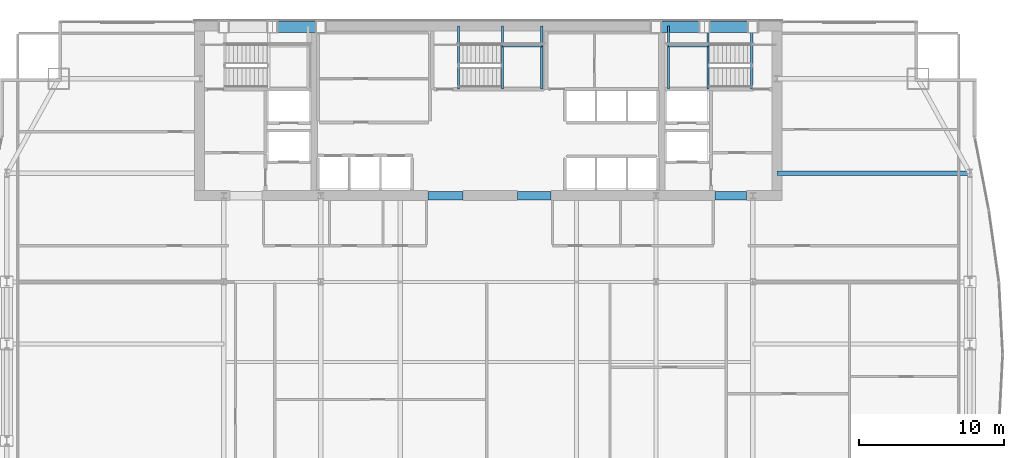
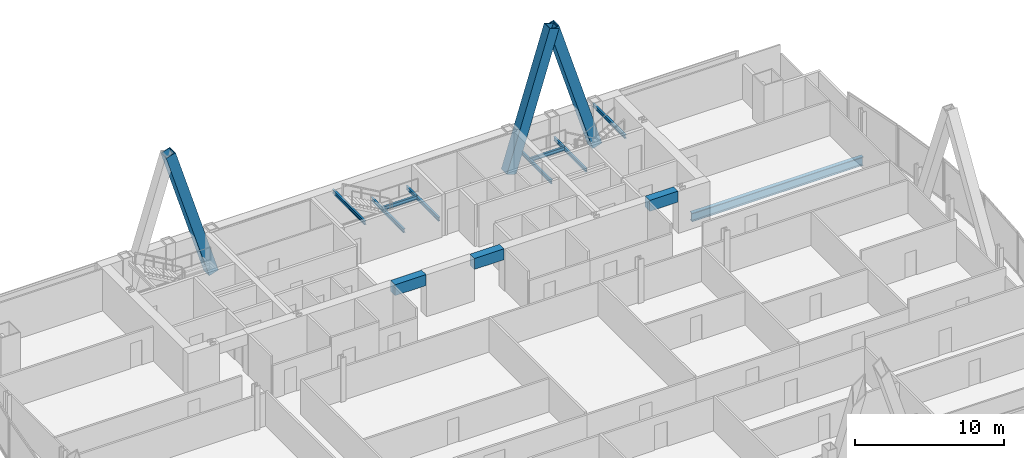
# One storey, part 19 of 33: 12 beams, 3 members.
"""IFC4 building model written with IfcOpenShell, lengths in metres."""

from ifc_helpers import new_model, si_unit, direction, frame, origin, origin_2d, place, context, subcontext, project, spatial, rectangle, hollow_rectangle, i_section, extrude, material, material_profile, profile_set, type_object, element, save


model = new_model("IFC4")

# Units and contexts
model_context = context("Model", 3, precision=1e-05, world=origin(), true_north=direction((0.0, 1.0)))
body_context = subcontext(model_context, "Body", "Model", "MODEL_VIEW")
ifc_project = project(units=[si_unit("LENGTHUNIT", "METRE"), si_unit("AREAUNIT", "SQUARE_METRE"), si_unit("VOLUMEUNIT", "CUBIC_METRE"), si_unit("PLANEANGLEUNIT", "RADIAN"), si_unit("MASSUNIT", "GRAM", prefix="KILO")], contexts=[model_context])

# Site, building, storey
site_placement = place(None, origin())
site = spatial("IfcSite", under=ifc_project, at=site_placement, CompositionType="ELEMENT")
building_placement = place(site_placement, origin())
building = spatial("IfcBuilding", under=site, at=building_placement, Name="Khoronbel Lancet Exchange", CompositionType="ELEMENT")
storey_placement = place(building_placement, frame((0.0, 0.0, 118.199951171875)))
storey = spatial("IfcBuildingStorey", under=building, at=storey_placement, Name="L28", CompositionType="ELEMENT", Elevation=118.199951171875)

# Beams
ifc_material_1 = material(Name="Steel S355", Category="steel")
ifc_material_profile_1 = material_profile(ifc_material_1, i_section(OverallWidth=0.300048828125, OverallDepth=0.699951171875, WebThickness=0.01708984375, FlangeThickness=0.031982421875, at=origin_2d()), Name="HEB 700")
ifc_profile_set_1 = profile_set([ifc_material_profile_1], Name="Steel S355")
beam_type_1 = type_object("IfcBeamType", Name="BM-BG3", PredefinedType="BEAM", material=ifc_profile_set_1)
beam_1_placement = place(storey_placement, frame((56.35009765625, 43.199951171875, -0.510009765625), z_axis=(1.0, 0.0, 0.0), x_axis=(0.0, 1.0, 0.0)))
element("IfcBeam", 1, at=beam_1_placement, inside=storey, type_object=beam_type_1, Name="Level L28 east lens tie girder LG3E", PredefinedType="BEAM", context=body_context, shape_type="SweptSolid", body=[
    extrude(i_section(OverallWidth=0.300048828125, OverallDepth=0.699951171875, WebThickness=0.01708984375, FlangeThickness=0.031982421875, at=origin_2d()), origin(), (0.0, 0.0, 1.0), 13.27978515625),
])
ifc_material_profile_2 = material_profile(ifc_material_1, i_section(OverallWidth=0.14990234375, OverallDepth=0.300048828125, WebThickness=0.007080078125, FlangeThickness=0.0107421875, at=origin_2d()), Name="IPE 300")
ifc_profile_set_2 = profile_set([ifc_material_profile_2], Name="Steel S355")
beam_type_2 = type_object("IfcBeamType", Name="BM-BJ8", PredefinedType="JOIST", material=ifc_profile_set_2)
for number, where, z_axis, x_axis, name in (
    (2, (51.580078125, 48.97998046875, 1.449951171875), (0.0, 1.0, 0.0), (-1.0, 0.0, 0.0), "Level L28 stair ST2 landing bearer beam 1"),
    (3, (48.8701171875, 48.97998046875, 1.449951171875), (0.0, 1.0, 0.0), (-1.0, 0.0, 0.0), "Level L28 stair ST2 rear landing bearer beam 1"),
):
    element("IfcBeam", number, at=place(storey_placement, frame(where, z_axis=z_axis, x_axis=x_axis)), inside=storey, type_object=beam_type_2, Name=name, PredefinedType="JOIST", context=body_context, shape_type="SweptSolid", body=[
        extrude(i_section(OverallWidth=0.14990234375, OverallDepth=0.300048828125, WebThickness=0.007080078125, FlangeThickness=0.0107421875, at=origin_2d()), origin(), (0.0, 0.0, 1.0), 4.3701171875),
    ])
beam_2_placement = place(storey_placement, frame((48.8701171875, 51.97998046875, 1.449951171875), z_axis=(1.0, 0.0, 0.0), x_axis=(0.0, 1.0, 0.0)))
element("IfcBeam", 4, at=beam_2_placement, inside=storey, type_object=beam_type_2, Name="Level L28 stair ST2 landing cross trimmer beam 1", PredefinedType="JOIST", context=body_context, shape_type="SweptSolid", body=[
    extrude(i_section(OverallWidth=0.14990234375, OverallDepth=0.300048828125, WebThickness=0.007080078125, FlangeThickness=0.0107421875, at=origin_2d()), origin(), (0.0, 0.0, 1.0), 2.7099609375),
])
for number, where, z_axis, x_axis, name in (
    (5, (54.60009765625, 48.97998046875, 3.16015625), (0.0, 1.0, 0.0), (-1.0, 0.0, 0.0), "Level L28 stair ST2 upper-flight arrival trimmer beam"),
    (6, (37.419921875, 48.97998046875, 1.449951171875), (0.0, 1.0, 0.0), (-1.0, 0.0, 0.0), "Level L28 stair ST3 landing bearer beam 1"),
    (7, (40.1298828125, 48.97998046875, 1.449951171875), (0.0, 1.0, 0.0), (-1.0, 0.0, 0.0), "Level L28 stair ST3 rear landing bearer beam 1"),
):
    element("IfcBeam", number, at=place(storey_placement, frame(where, z_axis=z_axis, x_axis=x_axis)), inside=storey, type_object=beam_type_2, Name=name, PredefinedType="JOIST", context=body_context, shape_type="SweptSolid", body=[
        extrude(i_section(OverallWidth=0.14990234375, OverallDepth=0.300048828125, WebThickness=0.007080078125, FlangeThickness=0.0107421875, at=origin_2d()), origin(), (0.0, 0.0, 1.0), 4.3701171875),
    ])
beam_3_placement = place(storey_placement, frame((37.419921875, 51.97998046875, 1.449951171875), z_axis=(1.0, 0.0, 0.0), x_axis=(0.0, 1.0, 0.0)))
element("IfcBeam", 8, at=beam_3_placement, inside=storey, type_object=beam_type_2, Name="Level L28 stair ST3 landing cross trimmer beam 1", PredefinedType="JOIST", context=body_context, shape_type="SweptSolid", body=[
    extrude(i_section(OverallWidth=0.14990234375, OverallDepth=0.300048828125, WebThickness=0.007080078125, FlangeThickness=0.0107421875, at=origin_2d()), origin(), (0.0, 0.0, 1.0), 2.7099609375),
])
beam_4_placement = place(storey_placement, frame((34.39990234375, 48.97998046875, 3.16015625), z_axis=(0.0, 1.0, 0.0), x_axis=(-1.0, 0.0, 0.0)))
element("IfcBeam", 9, at=beam_4_placement, inside=storey, type_object=beam_type_2, Name="Level L28 stair ST3 upper-flight arrival trimmer beam", PredefinedType="JOIST", context=body_context, shape_type="SweptSolid", body=[
    extrude(i_section(OverallWidth=0.14990234375, OverallDepth=0.300048828125, WebThickness=0.007080078125, FlangeThickness=0.0107421875, at=origin_2d()), origin(), (0.0, 0.0, 1.0), 4.3701171875),
])
ifc_material_2 = material(Name="Concrete C80/95", Category="concrete")
ifc_material_profile_3 = material_profile(ifc_material_2, rectangle(XDim=0.60009765625, YDim=0.89990234375, at=origin_2d()), Name="RC 600x900")
ifc_profile_set_3 = profile_set([ifc_material_profile_3], Name="Concrete C80/95")
beam_type_3 = type_object("IfcBeamType", Name="BM-BL1", PredefinedType="LINTEL", material=ifc_profile_set_3)
beam_5_placement = place(storey_placement, frame((32.300048828125, 41.64990234375, 2.989990234375), z_axis=(1.0, 0.0, 0.0), x_axis=(0.0, 1.0, 0.0)))
element("IfcBeam", 10, at=beam_5_placement, inside=storey, type_object=beam_type_3, Name="Level L28 rear core coupling lintel L2", PredefinedType="LINTEL", context=body_context, shape_type="SweptSolid", body=[
    extrude(rectangle(XDim=0.60009765625, YDim=0.89990234375, at=origin_2d()), origin(), (0.0, 0.0, 1.0), 2.39990234375),
])
beam_6_placement = place(storey_placement, frame((38.449951171875, 41.64990234375, 2.989990234375), z_axis=(1.0, 0.0, 0.0), x_axis=(0.0, 1.0, 0.0)))
element("IfcBeam", 11, at=beam_6_placement, inside=storey, type_object=beam_type_3, Name="Level L28 rear core coupling lintel L3", PredefinedType="LINTEL", context=body_context, shape_type="SweptSolid", body=[
    extrude(rectangle(XDim=0.60009765625, YDim=0.89990234375, at=origin_2d()), origin(), (0.0, 0.0, 1.0), 2.300048828125),
])
beam_7_placement = place(storey_placement, frame((52.050048828125, 41.64990234375, 2.989990234375), z_axis=(1.0, 0.0, 0.0), x_axis=(0.0, 1.0, 0.0)))
element("IfcBeam", 12, at=beam_7_placement, inside=storey, type_object=beam_type_3, Name="Level L28 rear core coupling lintel L4", PredefinedType="LINTEL", context=body_context, shape_type="SweptSolid", body=[
    extrude(rectangle(XDim=0.60009765625, YDim=0.89990234375, at=origin_2d()), origin(), (0.0, 0.0, 1.0), 2.199951171875),
])

# Members
ifc_material_3 = material(Name="Steel S460", Category="steel")
ifc_material_profile_4 = material_profile(ifc_material_3, hollow_rectangle(XDim=0.760009765625, YDim=0.760009765625, WallThickness=0.054931640625, at=origin_2d()), Name="BOX 760x760x55")
ifc_profile_set_4 = profile_set([ifc_material_profile_4], Name="Steel S460")
member_type = type_object("IfcMemberType", Name="MEM-MB1", PredefinedType="BRACE", material=ifc_profile_set_4)
for number, where, z_axis, x_axis, name in (
    (13, (24.89990234375, 53.280029296875, 0.0), (-0.295242108906, 0.0, 0.955422470496), (0.0, -1.0, 0.0), "Perimeter lancet brace tier 9 N-W-R"),
    (14, (48.0, 53.280029296875, 0.0), (0.295242108906, 0.0, 0.955422470496), (0.0, 1.0, 0.0), "Perimeter lancet brace tier 9 N-E-L"),
    (15, (54.675048828125, 53.280029296875, 0.0), (-0.295261823895, 0.0, 0.955416378), (0.0, -1.0, 0.0), "Perimeter lancet brace tier 9 N-E-R"),
):
    element("IfcMember", number, at=place(storey_placement, frame(where, z_axis=z_axis, x_axis=x_axis)), inside=storey, type_object=member_type, Name=name, PredefinedType="BRACE", context=body_context, shape_type="SweptSolid", body=[
        extrude(hollow_rectangle(XDim=0.760009765625, YDim=0.760009765625, WallThickness=0.054931640625, at=origin_2d()), origin(), (0.0, 0.0, 1.0), 11.303955078125),
    ])

save(model, "model.ifc")
